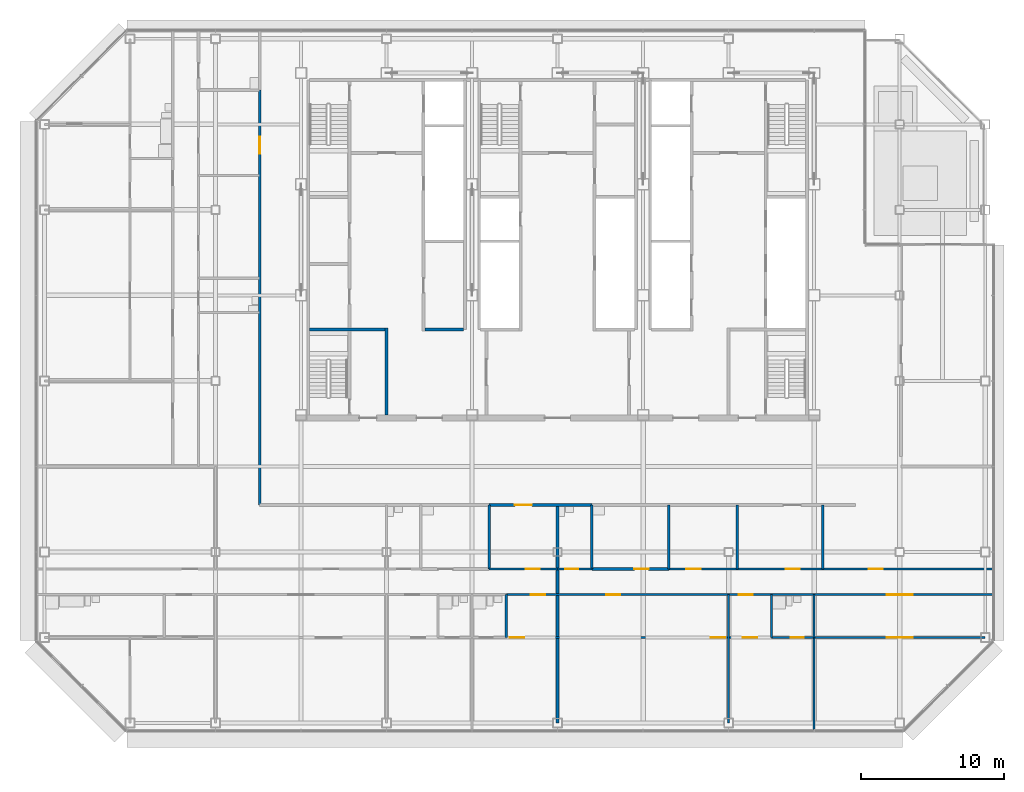
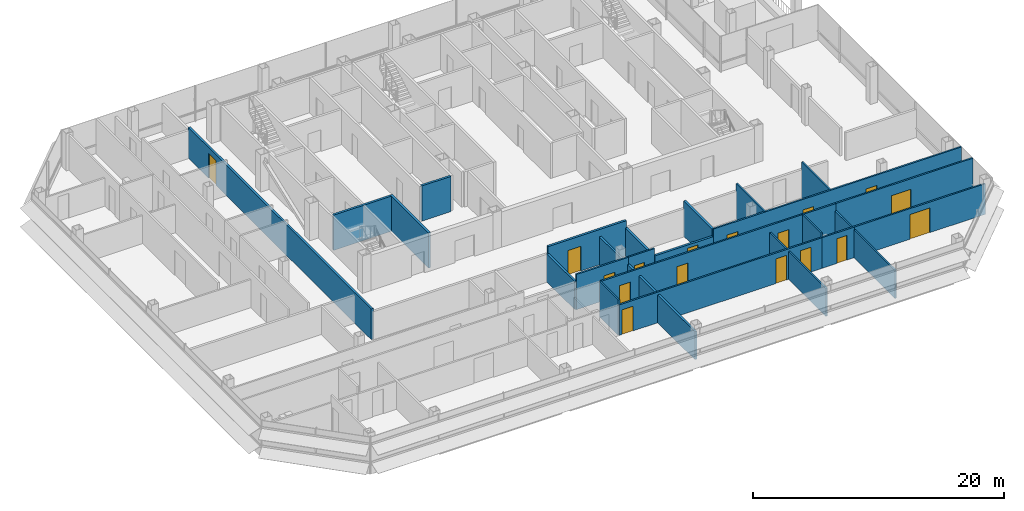
# One storey, part 21 of 29: 26 walls, 17 doors, 17 openings.
"""IFC4 building model written with IfcOpenShell, lengths in metres."""

from ifc_helpers import new_model, si_unit, direction, frame, frame_2d, origin, place, context, subcontext, project, spatial, rectangle, extrude, material, layer, layer_set, type_object, element, fill, save


model = new_model("IFC4")

# Units and contexts
model_context = context("Model", 3, precision=1e-05, world=origin(), true_north=direction((0.0, 1.0)))
body_context = subcontext(model_context, "Body", "Model", "MODEL_VIEW")
ifc_project = project(units=[si_unit("LENGTHUNIT", "METRE"), si_unit("AREAUNIT", "SQUARE_METRE"), si_unit("VOLUMEUNIT", "CUBIC_METRE"), si_unit("PLANEANGLEUNIT", "RADIAN"), si_unit("MASSUNIT", "GRAM", prefix="KILO")], contexts=[model_context])

# Site, building, storey
site_placement = place(None, origin())
site = spatial("IfcSite", under=ifc_project, at=site_placement, CompositionType="ELEMENT")
building_placement = place(site_placement, origin())
building = spatial("IfcBuilding", under=site, at=building_placement, Name="Sorahane Residences", CompositionType="ELEMENT")
storey_placement = place(building_placement, frame((0.0, 0.0, 199.199951171875)))
storey = spatial("IfcBuildingStorey", under=building, at=storey_placement, Name="L46", CompositionType="ELEMENT", Elevation=199.199951171875)

# Wall, opening, door
ifc_material_1 = material(Name="Concrete blockwork C20 wall", Category="masonry")
ifc_layer_1 = layer(ifc_material_1, 0.199951171875)
ifc_layer_set_1 = layer_set([ifc_layer_1], Name="Corridor wall 200 EI 120")
wall_type_1 = type_object("IfcWallType", Name="Corridor wall 200 EI 120", PredefinedType="SOLIDWALL", material=ifc_layer_set_1)
wall_1_placement = place(storey_placement, frame((3.10009765625, 15.300048828125, 0.0), z_axis=(0.0, 0.0, 1.0), x_axis=(0.0, 1.0, 0.0)))
wall_1 = element("IfcWall", 1, at=wall_1_placement, inside=storey, type_object=wall_type_1, Name="L46 corridor wall", PredefinedType="SOLIDWALL", context=body_context, shape_type="SweptSolid", body=[
    extrude(rectangle(XDim=29.099853515625, YDim=0.199951171875, at=frame_2d((14.5498046875, 0.0))), origin(), (0.0, 0.0, 1.0), 2.969970703125),
])
opening_1_placement = place(wall_1_placement, frame((24.639892578125, 0.0, 0.0)))
opening_1 = element("IfcOpeningElement", 2, at=opening_1_placement, cuts=wall_1, Name="Opening L46-44", PredefinedType="OPENING", context=body_context, shape_type="SweptSolid", body=[
    extrude(rectangle(XDim=1.199951171875, YDim=2.39990234375, at=frame_2d((0.60009765625, 1.199951171875))), frame((0.0, 0.10986328125, 0.0), z_axis=(0.0, -1.0, 0.0), x_axis=(1.0, 0.0, 0.0)), (0.0, 0.0, 1.0), 0.219970703125),
])
ifc_material_2 = material(Name="Timber veneered fire door", Category="wood")
door_type_1 = type_object("IfcDoorType", Name="Flat entrance door 1200x2400 FD60", OperationType="NOTDEFINED", PredefinedType="DOOR", material=ifc_material_2)
door_1_placement = place(opening_1_placement, origin())
door_1 = element("IfcDoor", 3, at=door_1_placement, inside=storey, type_object=door_type_1, Name="Flat entrance door L46-44", OperationType="SINGLE_SWING_LEFT", OverallHeight=2.39990234375, OverallWidth=1.199951171875, PredefinedType="DOOR", context=body_context, shape_type="SweptSolid", body=[
    extrude(rectangle(XDim=1.199951171875, YDim=2.39990234375, at=frame_2d((0.60009765625, 1.199951171875))), frame((0.0, 0.02490234375, 0.0), z_axis=(0.0, -1.0, 0.0), x_axis=(1.0, 0.0, 0.0)), (0.0, 0.0, 1.0), 0.050048828125),
])
fill(opening_1, door_1)

wall_2_placement = place(storey_placement, frame((19.199951171875, 15.300048828125, 0.0), z_axis=(0.0, 0.0, 1.0), x_axis=(1.0, 0.0, 0.0)))
wall_2 = element("IfcWall", 4, at=wall_2_placement, inside=storey, type_object=wall_type_1, Name="L46 corridor wall", PredefinedType="SOLIDWALL", context=body_context, shape_type="SweptSolid", body=[
    extrude(rectangle(XDim=7.199951171875, YDim=0.199951171875, at=frame_2d((3.60009765625, 0.0))), origin(), (0.0, 0.0, 1.0), 3.420166015625),
])
opening_2_placement = place(wall_2_placement, frame((1.800048828125, 0.0, 0.0)))
opening_2 = element("IfcOpeningElement", 5, at=opening_2_placement, cuts=wall_2, Name="Opening L46-42", PredefinedType="OPENING", context=body_context, shape_type="SweptSolid", body=[
    extrude(rectangle(XDim=1.199951171875, YDim=2.39990234375, at=frame_2d((0.60009765625, 1.199951171875))), frame((0.0, 0.10986328125, 0.0), z_axis=(0.0, -1.0, 0.0), x_axis=(1.0, 0.0, 0.0)), (0.0, 0.0, 1.0), 0.219970703125),
])
door_2_placement = place(opening_2_placement, frame((1.199951171875, 0.0, 0.0), z_axis=(0.0, 0.0, 1.0), x_axis=(-1.0, 0.0, 0.0)))
door_2 = element("IfcDoor", 6, at=door_2_placement, inside=storey, type_object=door_type_1, Name="Flat entrance door L46-42", OperationType="SINGLE_SWING_RIGHT", OverallHeight=2.39990234375, OverallWidth=1.199951171875, PredefinedType="DOOR", context=body_context, shape_type="SweptSolid", body=[
    extrude(rectangle(XDim=1.199951171875, YDim=2.39990234375, at=frame_2d((0.60009765625, 1.199951171875))), frame((0.0, 0.02490234375, 0.0), z_axis=(0.0, -1.0, 0.0), x_axis=(1.0, 0.0, 0.0)), (0.0, 0.0, 1.0), 0.050048828125),
])
fill(opening_2, door_2)

# Walls
ifc_material_3 = material(Name="Concrete C30", Category="concrete")
ifc_layer_2 = layer(ifc_material_3, 0.199951171875)
ifc_layer_set_2 = layer_set([ifc_layer_2], Name="Front room wall 200 EI 120")
wall_type_2 = type_object("IfcWallType", Name="Front room wall 200 EI 120", PredefinedType="PARTITIONING", material=ifc_layer_set_2)
wall_3_placement = place(storey_placement, frame((12.0, 21.60009765625, 0.0), z_axis=(0.0, 0.0, 1.0), x_axis=(0.0, 1.0, 0.0)))
element("IfcWall", 7, at=wall_3_placement, inside=storey, type_object=wall_type_2, Name="L46 front room wall", PredefinedType="PARTITIONING", context=body_context, shape_type="SweptSolid", body=[
    extrude(rectangle(XDim=6.099853515625, YDim=0.199951171875, at=frame_2d((3.0498046875, 0.0))), origin(), (0.0, 0.0, 1.0), 3.420166015625),
])
ifc_material_4 = material(Name="Concrete blockwork C20 wall", Category="masonry")
ifc_layer_3 = layer(ifc_material_4, 0.199951171875)
ifc_layer_set_3 = layer_set([ifc_layer_3], Name="Kitchen wall 200 EI 180")
wall_type_3 = type_object("IfcWallType", Name="Kitchen wall 200 EI 180", PredefinedType="SOLIDWALL", material=ifc_layer_set_3)
for number, where, z_axis, x_axis, name in (
    (8, (19.199951171875, 10.800048828125, 0.0), (0.0, 0.0, 1.0), (0.0, 1.0, 0.0), "L46 kitchen wall"),
    (9, (26.39990234375, 10.800048828125, 0.0), (0.0, 0.0, 1.0), (0.0, 1.0, 0.0), "L46 kitchen wall"),
):
    element("IfcWall", number, at=place(storey_placement, frame(where, z_axis=z_axis, x_axis=x_axis)), inside=storey, type_object=wall_type_3, Name=name, PredefinedType="SOLIDWALL", context=body_context, shape_type="SweptSolid", body=[
        extrude(rectangle(XDim=4.5, YDim=0.199951171875, at=frame_2d((2.25, 0.0))), origin(), (0.0, 0.0, 1.0), 2.719970703125),
    ])
wall_4_placement = place(storey_placement, frame((31.800048828125, 10.800048828125, 0.0), z_axis=(0.0, 0.0, 1.0), x_axis=(0.0, 1.0, 0.0)))
element("IfcWall", 10, at=wall_4_placement, inside=storey, type_object=wall_type_3, Name="L46 kitchen wall", PredefinedType="SOLIDWALL", context=body_context, shape_type="SweptSolid", body=[
    extrude(rectangle(XDim=4.5, YDim=0.199951171875, at=frame_2d((2.25, 0.0))), origin(), (0.0, 0.0, 1.0), 3.420166015625),
])

# Wall, opening, door
wall_5_placement = place(storey_placement, frame((26.39990234375, 10.800048828125, 0.0), z_axis=(0.0, 0.0, 1.0), x_axis=(1.0, 0.0, 0.0)))
wall_5 = element("IfcWall", 11, at=wall_5_placement, inside=storey, type_object=wall_type_3, Name="L46 kitchen wall", PredefinedType="SOLIDWALL", context=body_context, shape_type="SweptSolid", body=[
    extrude(rectangle(XDim=5.400146484375, YDim=0.199951171875, at=frame_2d((2.7001953125, 0.0))), origin(), (0.0, 0.0, 1.0), 2.719970703125),
])
opening_3_placement = place(wall_5_placement, frame((2.97998046875, 0.0, 0.0)))
opening_3 = element("IfcOpeningElement", 12, at=opening_3_placement, cuts=wall_5, Name="Opening L46-20", PredefinedType="OPENING", context=body_context, shape_type="SweptSolid", body=[
    extrude(rectangle(XDim=1.0, YDim=2.39990234375, at=frame_2d((0.5, 1.199951171875))), frame((0.0, 0.10986328125, 0.0), z_axis=(0.0, -1.0, 0.0), x_axis=(1.0, 0.0, 0.0)), (0.0, 0.0, 1.0), 0.219970703125),
])
ifc_material_5 = material(Name="Steel", Category="steel")
door_type_2 = type_object("IfcDoorType", Name="Kitchen door 1000x2400 FD120", OperationType="NOTDEFINED", PredefinedType="DOOR", material=ifc_material_5)
door_3_placement = place(opening_3_placement, origin())
door_3 = element("IfcDoor", 13, at=door_3_placement, inside=storey, type_object=door_type_2, Name="Kitchen door L46-20", OperationType="SINGLE_SWING_LEFT", OverallHeight=2.39990234375, OverallWidth=1.0, PredefinedType="DOOR", context=body_context, shape_type="SweptSolid", body=[
    extrude(rectangle(XDim=1.0, YDim=2.39990234375, at=frame_2d((0.5, 1.199951171875))), frame((0.0, 0.02490234375, 0.0), z_axis=(0.0, -1.0, 0.0), x_axis=(1.0, 0.0, 0.0)), (0.0, 0.0, 1.0), 0.050048828125),
])
fill(opening_3, door_3)

# Walls
ifc_material_6 = material(Name="Gypsum board partition on steel studs", Category="steel")
ifc_layer_4 = layer(ifc_material_6, 0.14990234375)
ifc_layer_set_4 = layer_set([ifc_layer_4], Name="Partition 150 EI 90")
wall_type_4 = type_object("IfcWallType", Name="Partition 150 EI 90", PredefinedType="PARTITIONING", material=ifc_layer_set_4)
wall_6_placement = place(storey_placement, frame((36.0, 0.0, 0.0), z_axis=(0.0, 0.0, 1.0), x_axis=(0.0, 1.0, 0.0)))
element("IfcWall", 14, at=wall_6_placement, inside=storey, type_object=wall_type_4, Name="L46 partition", PredefinedType="PARTITIONING", context=body_context, shape_type="SweptSolid", body=[
    extrude(rectangle(XDim=9.0, YDim=0.14990234375, at=frame_2d((4.5, 0.0))), origin(), (0.0, 0.0, 1.0), 2.719970703125),
])
wall_7_placement = place(storey_placement, frame((36.60009765625, 10.800048828125, 0.0), z_axis=(0.0, 0.0, 1.0), x_axis=(0.0, 1.0, 0.0)))
element("IfcWall", 15, at=wall_7_placement, inside=storey, type_object=wall_type_4, Name="L46 partition", PredefinedType="PARTITIONING", context=body_context, shape_type="SweptSolid", body=[
    extrude(rectangle(XDim=4.5, YDim=0.14990234375, at=frame_2d((2.25, 0.0))), origin(), (0.0, 0.0, 1.0), 3.420166015625),
])
wall_8_placement = place(storey_placement, frame((42.0, -0.60009765625, 0.0), z_axis=(0.0, 0.0, 1.0), x_axis=(0.0, 1.0, 0.0)))
element("IfcWall", 16, at=wall_8_placement, inside=storey, type_object=wall_type_4, Name="L46 partition", PredefinedType="PARTITIONING", context=body_context, shape_type="SweptSolid", body=[
    extrude(rectangle(XDim=6.60009765625, YDim=0.14990234375, at=frame_2d((3.300048828125, 0.0))), origin(), (0.0, 0.0, 1.0), 2.719970703125),
])
wall_9_placement = place(storey_placement, frame((42.60009765625, 10.800048828125, 0.0), z_axis=(0.0, 0.0, 1.0), x_axis=(0.0, 1.0, 0.0)))
element("IfcWall", 17, at=wall_9_placement, inside=storey, type_object=wall_type_4, Name="L46 partition", PredefinedType="PARTITIONING", context=body_context, shape_type="SweptSolid", body=[
    extrude(rectangle(XDim=4.5, YDim=0.14990234375, at=frame_2d((2.25, 0.0))), origin(), (0.0, 0.0, 1.0), 3.420166015625),
])

# Wall, opening, door
wall_10_placement = place(storey_placement, frame((19.199951171875, 10.800048828125, 0.0), z_axis=(0.0, 0.0, 1.0), x_axis=(1.0, 0.0, 0.0)))
wall_10 = element("IfcWall", 18, at=wall_10_placement, inside=storey, type_object=wall_type_4, Name="L46 partition", PredefinedType="PARTITIONING", context=body_context, shape_type="SweptSolid", body=[
    extrude(rectangle(XDim=4.800048828125, YDim=0.14990234375, at=frame_2d((2.39990234375, 0.0))), origin(), (0.0, 0.0, 1.0), 3.420166015625),
])
opening_4_placement = place(wall_10_placement, frame((2.56005859375, 0.0, 0.0)))
opening_4 = element("IfcOpeningElement", 19, at=opening_4_placement, cuts=wall_10, Name="Opening L46-01", PredefinedType="OPENING", context=body_context, shape_type="SweptSolid", body=[
    extrude(rectangle(XDim=1.0, YDim=2.39990234375, at=frame_2d((0.5, 1.199951171875))), frame((0.0, 0.0849609375, 0.0), z_axis=(0.0, -1.0, 0.0), x_axis=(1.0, 0.0, 0.0)), (0.0, 0.0, 1.0), 0.169921875),
])
ifc_material_7 = material(Name="Timber veneered fire door", Category="wood")
door_type_3 = type_object("IfcDoorType", Name="Room door 1000x2400 FD30", OperationType="NOTDEFINED", PredefinedType="DOOR", material=ifc_material_7)
door_4_placement = place(opening_4_placement, frame((1.0, 0.0, 0.0), z_axis=(0.0, 0.0, 1.0), x_axis=(-1.0, 0.0, 0.0)))
door_4 = element("IfcDoor", 20, at=door_4_placement, inside=storey, type_object=door_type_3, Name="Room door L46-01", OperationType="SINGLE_SWING_LEFT", OverallHeight=2.39990234375, OverallWidth=1.0, PredefinedType="DOOR", context=body_context, shape_type="SweptSolid", body=[
    extrude(rectangle(XDim=1.0, YDim=2.39990234375, at=frame_2d((0.5, 1.199951171875))), frame((0.0, 0.02490234375, 0.0), z_axis=(0.0, -1.0, 0.0), x_axis=(1.0, 0.0, 0.0)), (0.0, 0.0, 1.0), 0.050048828125),
])
fill(opening_4, door_4)

# Wall, openings, doors
wall_11_placement = place(storey_placement, frame((31.800048828125, 10.800048828125, 0.0), z_axis=(0.0, 0.0, 1.0), x_axis=(1.0, 0.0, 0.0)))
wall_11 = element("IfcWall", 21, at=wall_11_placement, inside=storey, type_object=wall_type_4, Name="L46 partition", PredefinedType="PARTITIONING", context=body_context, shape_type="SweptSolid", body=[
    extrude(rectangle(XDim=22.800048828125, YDim=0.14990234375, at=frame_2d((11.39990234375, 0.0))), origin(), (0.0, 0.0, 1.0), 3.420166015625),
])
opening_5_placement = place(wall_11_placement, frame((8.199951171875, 0.0, 0.0)))
opening_5 = element("IfcOpeningElement", 22, at=opening_5_placement, cuts=wall_11, Name="Opening L46-18", PredefinedType="OPENING", context=body_context, shape_type="SweptSolid", body=[
    extrude(rectangle(XDim=1.0, YDim=2.39990234375, at=frame_2d((0.5, 1.199951171875))), frame((0.0, 0.0849609375, 0.0), z_axis=(0.0, -1.0, 0.0), x_axis=(1.0, 0.0, 0.0)), (0.0, 0.0, 1.0), 0.169921875),
])
opening_6_placement = place(wall_11_placement, frame((1.239990234375, 0.0, 0.0)))
opening_6 = element("IfcOpeningElement", 23, at=opening_6_placement, cuts=wall_11, Name="Opening L46-21", PredefinedType="OPENING", context=body_context, shape_type="SweptSolid", body=[
    extrude(rectangle(XDim=1.0, YDim=2.39990234375, at=frame_2d((0.5, 1.199951171875))), frame((0.0, 0.0849609375, 0.0), z_axis=(0.0, -1.0, 0.0), x_axis=(1.0, 0.0, 0.0)), (0.0, 0.0, 1.0), 0.169921875),
])
opening_7_placement = place(wall_11_placement, frame((14.02001953125, 0.0, 0.0)))
opening_7 = element("IfcOpeningElement", 24, at=opening_7_placement, cuts=wall_11, Name="Opening L46-22", PredefinedType="OPENING", context=body_context, shape_type="SweptSolid", body=[
    extrude(rectangle(XDim=1.0, YDim=2.39990234375, at=frame_2d((0.5, 1.199951171875))), frame((0.0, 0.0849609375, 0.0), z_axis=(0.0, -1.0, 0.0), x_axis=(1.0, 0.0, 0.0)), (0.0, 0.0, 1.0), 0.169921875),
])
door_5_placement = place(opening_5_placement, frame((1.0, 0.0, 0.0), z_axis=(0.0, 0.0, 1.0), x_axis=(-1.0, 0.0, 0.0)))
door_5 = element("IfcDoor", 25, at=door_5_placement, inside=storey, type_object=door_type_3, Name="Room door L46-18", OperationType="SINGLE_SWING_RIGHT", OverallHeight=2.39990234375, OverallWidth=1.0, PredefinedType="DOOR", context=body_context, shape_type="SweptSolid", body=[
    extrude(rectangle(XDim=1.0, YDim=2.39990234375, at=frame_2d((0.5, 1.199951171875))), frame((0.0, 0.02490234375, 0.0), z_axis=(0.0, -1.0, 0.0), x_axis=(1.0, 0.0, 0.0)), (0.0, 0.0, 1.0), 0.050048828125),
])
fill(opening_5, door_5)
door_6_placement = place(opening_6_placement, origin())
door_6 = element("IfcDoor", 26, at=door_6_placement, inside=storey, type_object=door_type_3, Name="Room door L46-21", OperationType="SINGLE_SWING_LEFT", OverallHeight=2.39990234375, OverallWidth=1.0, PredefinedType="DOOR", context=body_context, shape_type="SweptSolid", body=[
    extrude(rectangle(XDim=1.0, YDim=2.39990234375, at=frame_2d((0.5, 1.199951171875))), frame((0.0, 0.02490234375, 0.0), z_axis=(0.0, -1.0, 0.0), x_axis=(1.0, 0.0, 0.0)), (0.0, 0.0, 1.0), 0.050048828125),
])
fill(opening_6, door_6)
door_7_placement = place(opening_7_placement, origin())
door_7 = element("IfcDoor", 27, at=door_7_placement, inside=storey, type_object=door_type_3, Name="Room door L46-22", OperationType="SINGLE_SWING_LEFT", OverallHeight=2.39990234375, OverallWidth=1.0, PredefinedType="DOOR", context=body_context, shape_type="SweptSolid", body=[
    extrude(rectangle(XDim=1.0, YDim=2.39990234375, at=frame_2d((0.5, 1.199951171875))), frame((0.0, 0.02490234375, 0.0), z_axis=(0.0, -1.0, 0.0), x_axis=(1.0, 0.0, 0.0)), (0.0, 0.0, 1.0), 0.050048828125),
])
fill(opening_7, door_7)

wall_12_placement = place(storey_placement, frame((20.39990234375, 6.0, 0.0), z_axis=(0.0, 0.0, 1.0), x_axis=(1.0, 0.0, 0.0)))
wall_12 = element("IfcWall", 28, at=wall_12_placement, inside=storey, type_object=wall_type_4, Name="L46 partition", PredefinedType="PARTITIONING", context=body_context, shape_type="SweptSolid", body=[
    extrude(rectangle(XDim=18.60009765625, YDim=0.14990234375, at=frame_2d((9.300048828125, 0.0))), origin(), (0.0, 0.0, 1.0), 2.969970703125),
])
opening_8_placement = place(wall_12_placement, frame((0.25, 0.0, 0.0)))
opening_8 = element("IfcOpeningElement", 29, at=opening_8_placement, cuts=wall_12, Name="Opening L46-16", PredefinedType="OPENING", context=body_context, shape_type="SweptSolid", body=[
    extrude(rectangle(XDim=1.0, YDim=2.39990234375, at=frame_2d((0.5, 1.199951171875))), frame((0.0, 0.0849609375, 0.0), z_axis=(0.0, -1.0, 0.0), x_axis=(1.0, 0.0, 0.0)), (0.0, 0.0, 1.0), 0.169921875),
])
opening_9_placement = place(wall_12_placement, frame((14.35009765625, 0.0, 0.0)))
opening_9 = element("IfcOpeningElement", 30, at=opening_9_placement, cuts=wall_12, Name="Opening L46-26", PredefinedType="OPENING", context=body_context, shape_type="SweptSolid", body=[
    extrude(rectangle(XDim=1.0, YDim=2.39990234375, at=frame_2d((0.5, 1.199951171875))), frame((0.0, 0.0849609375, 0.0), z_axis=(0.0, -1.0, 0.0), x_axis=(1.0, 0.0, 0.0)), (0.0, 0.0, 1.0), 0.169921875),
])
opening_10_placement = place(wall_12_placement, frame((16.60009765625, 0.0, 0.0)))
opening_10 = element("IfcOpeningElement", 31, at=opening_10_placement, cuts=wall_12, Name="Opening L46-27", PredefinedType="OPENING", context=body_context, shape_type="SweptSolid", body=[
    extrude(rectangle(XDim=1.0, YDim=2.39990234375, at=frame_2d((0.5, 1.199951171875))), frame((0.0, 0.0849609375, 0.0), z_axis=(0.0, -1.0, 0.0), x_axis=(1.0, 0.0, 0.0)), (0.0, 0.0, 1.0), 0.169921875),
])
door_8_placement = place(opening_8_placement, frame((1.0, 0.0, 0.0), z_axis=(0.0, 0.0, 1.0), x_axis=(-1.0, 0.0, 0.0)))
door_8 = element("IfcDoor", 32, at=door_8_placement, inside=storey, type_object=door_type_3, Name="Room door L46-16", OperationType="SINGLE_SWING_LEFT", OverallHeight=2.39990234375, OverallWidth=1.0, PredefinedType="DOOR", context=body_context, shape_type="SweptSolid", body=[
    extrude(rectangle(XDim=1.0, YDim=2.39990234375, at=frame_2d((0.5, 1.199951171875))), frame((0.0, 0.02490234375, 0.0), z_axis=(0.0, -1.0, 0.0), x_axis=(1.0, 0.0, 0.0)), (0.0, 0.0, 1.0), 0.050048828125),
])
fill(opening_8, door_8)
door_9_placement = place(opening_9_placement, frame((1.0, 0.0, 0.0), z_axis=(0.0, 0.0, 1.0), x_axis=(-1.0, 0.0, 0.0)))
door_9 = element("IfcDoor", 33, at=door_9_placement, inside=storey, type_object=door_type_3, Name="Room door L46-26", OperationType="SINGLE_SWING_LEFT", OverallHeight=2.39990234375, OverallWidth=1.0, PredefinedType="DOOR", context=body_context, shape_type="SweptSolid", body=[
    extrude(rectangle(XDim=1.0, YDim=2.39990234375, at=frame_2d((0.5, 1.199951171875))), frame((0.0, 0.02490234375, 0.0), z_axis=(0.0, -1.0, 0.0), x_axis=(1.0, 0.0, 0.0)), (0.0, 0.0, 1.0), 0.050048828125),
])
fill(opening_9, door_9)
door_10_placement = place(opening_10_placement, frame((1.0, 0.0, 0.0), z_axis=(0.0, 0.0, 1.0), x_axis=(-1.0, 0.0, 0.0)))
door_10 = element("IfcDoor", 34, at=door_10_placement, inside=storey, type_object=door_type_3, Name="Room door L46-27", OperationType="SINGLE_SWING_RIGHT", OverallHeight=2.39990234375, OverallWidth=1.0, PredefinedType="DOOR", context=body_context, shape_type="SweptSolid", body=[
    extrude(rectangle(XDim=1.0, YDim=2.39990234375, at=frame_2d((0.5, 1.199951171875))), frame((0.0, 0.02490234375, 0.0), z_axis=(0.0, -1.0, 0.0), x_axis=(1.0, 0.0, 0.0)), (0.0, 0.0, 1.0), 0.050048828125),
])
fill(opening_10, door_10)

# Wall, opening, door
wall_13_placement = place(storey_placement, frame((42.0, 6.0, 0.0), z_axis=(0.0, 0.0, 1.0), x_axis=(1.0, 0.0, 0.0)))
wall_13 = element("IfcWall", 35, at=wall_13_placement, inside=storey, type_object=wall_type_4, Name="L46 partition", PredefinedType="PARTITIONING", context=body_context, shape_type="SweptSolid", body=[
    extrude(rectangle(XDim=12.0, YDim=0.14990234375, at=frame_2d((6.0, 0.0))), origin(), (0.0, 0.0, 1.0), 2.969970703125),
])
opening_11_placement = place(wall_13_placement, frame((5.10009765625, 0.0, 0.0)))
opening_11 = element("IfcOpeningElement", 36, at=opening_11_placement, cuts=wall_13, Name="Opening L46-29", PredefinedType="OPENING", context=body_context, shape_type="SweptSolid", body=[
    extrude(rectangle(XDim=1.800048828125, YDim=2.39990234375, at=frame_2d((0.89990234375, 1.199951171875))), frame((0.0, 0.0849609375, 0.0), z_axis=(0.0, -1.0, 0.0), x_axis=(1.0, 0.0, 0.0)), (0.0, 0.0, 1.0), 0.169921875),
])
ifc_material_8 = material(Name="Timber veneered fire door", Category="wood")
door_type_4 = type_object("IfcDoorType", Name="Double door 1800x2400 FD30", OperationType="NOTDEFINED", PredefinedType="DOOR", material=ifc_material_8)
door_11_placement = place(opening_11_placement, frame((1.800048828125, 0.0, 0.0), z_axis=(0.0, 0.0, 1.0), x_axis=(-1.0, 0.0, 0.0)))
door_11 = element("IfcDoor", 37, at=door_11_placement, inside=storey, type_object=door_type_4, Name="Double door L46-29", OperationType="SINGLE_SWING_RIGHT", OverallHeight=2.39990234375, OverallWidth=1.800048828125, PredefinedType="DOOR", context=body_context, shape_type="SweptSolid", body=[
    extrude(rectangle(XDim=1.800048828125, YDim=2.39990234375, at=frame_2d((0.89990234375, 1.199951171875))), frame((0.0, 0.02490234375, 0.0), z_axis=(0.0, -1.0, 0.0), x_axis=(1.0, 0.0, 0.0)), (0.0, 0.0, 1.0), 0.050048828125),
])
fill(opening_11, door_11)

# Wall, openings, doors
wall_14_placement = place(storey_placement, frame((20.39990234375, 9.0, 0.0), z_axis=(0.0, 0.0, 1.0), x_axis=(1.0, 0.0, 0.0)))
wall_14 = element("IfcWall", 38, at=wall_14_placement, inside=storey, type_object=wall_type_4, Name="L46 partition", PredefinedType="PARTITIONING", context=body_context, shape_type="SweptSolid", body=[
    extrude(rectangle(XDim=18.60009765625, YDim=0.14990234375, at=frame_2d((9.300048828125, 0.0))), origin(), (0.0, 0.0, 1.0), 3.420166015625),
])
opening_12_placement = place(wall_14_placement, frame((1.719970703125, 0.0, 0.0)))
opening_12 = element("IfcOpeningElement", 39, at=opening_12_placement, cuts=wall_14, Name="Opening L46-09", PredefinedType="OPENING", context=body_context, shape_type="SweptSolid", body=[
    extrude(rectangle(XDim=1.0, YDim=2.39990234375, at=frame_2d((0.5, 1.199951171875))), frame((0.0, 0.0849609375, 0.0), z_axis=(0.0, -1.0, 0.0), x_axis=(1.0, 0.0, 0.0)), (0.0, 0.0, 1.0), 0.169921875),
])
opening_13_placement = place(wall_14_placement, frame((7.0, 0.0, 0.0)))
opening_13 = element("IfcOpeningElement", 40, at=opening_13_placement, cuts=wall_14, Name="Opening L46-23", PredefinedType="OPENING", context=body_context, shape_type="SweptSolid", body=[
    extrude(rectangle(XDim=1.0, YDim=2.39990234375, at=frame_2d((0.5, 1.199951171875))), frame((0.0, 0.0849609375, 0.0), z_axis=(0.0, -1.0, 0.0), x_axis=(1.0, 0.0, 0.0)), (0.0, 0.0, 1.0), 0.169921875),
])
opening_14_placement = place(wall_14_placement, frame((16.300048828125, 0.0, 0.0)))
opening_14 = element("IfcOpeningElement", 41, at=opening_14_placement, cuts=wall_14, Name="Opening L46-24", PredefinedType="OPENING", context=body_context, shape_type="SweptSolid", body=[
    extrude(rectangle(XDim=1.0, YDim=2.39990234375, at=frame_2d((0.5, 1.199951171875))), frame((0.0, 0.0849609375, 0.0), z_axis=(0.0, -1.0, 0.0), x_axis=(1.0, 0.0, 0.0)), (0.0, 0.0, 1.0), 0.169921875),
])
door_12_placement = place(opening_12_placement, frame((1.0, 0.0, 0.0), z_axis=(0.0, 0.0, 1.0), x_axis=(-1.0, 0.0, 0.0)))
door_12 = element("IfcDoor", 42, at=door_12_placement, inside=storey, type_object=door_type_3, Name="Room door L46-09", OperationType="SINGLE_SWING_LEFT", OverallHeight=2.39990234375, OverallWidth=1.0, PredefinedType="DOOR", context=body_context, shape_type="SweptSolid", body=[
    extrude(rectangle(XDim=1.0, YDim=2.39990234375, at=frame_2d((0.5, 1.199951171875))), frame((0.0, 0.02490234375, 0.0), z_axis=(0.0, -1.0, 0.0), x_axis=(1.0, 0.0, 0.0)), (0.0, 0.0, 1.0), 0.050048828125),
])
fill(opening_12, door_12)
door_13_placement = place(opening_13_placement, frame((1.0, 0.0, 0.0), z_axis=(0.0, 0.0, 1.0), x_axis=(-1.0, 0.0, 0.0)))
door_13 = element("IfcDoor", 43, at=door_13_placement, inside=storey, type_object=door_type_3, Name="Room door L46-23", OperationType="SINGLE_SWING_RIGHT", OverallHeight=2.39990234375, OverallWidth=1.0, PredefinedType="DOOR", context=body_context, shape_type="SweptSolid", body=[
    extrude(rectangle(XDim=1.0, YDim=2.39990234375, at=frame_2d((0.5, 1.199951171875))), frame((0.0, 0.02490234375, 0.0), z_axis=(0.0, -1.0, 0.0), x_axis=(1.0, 0.0, 0.0)), (0.0, 0.0, 1.0), 0.050048828125),
])
fill(opening_13, door_13)
door_14_placement = place(opening_14_placement, frame((1.0, 0.0, 0.0), z_axis=(0.0, 0.0, 1.0), x_axis=(-1.0, 0.0, 0.0)))
door_14 = element("IfcDoor", 44, at=door_14_placement, inside=storey, type_object=door_type_3, Name="Room door L46-24", OperationType="SINGLE_SWING_LEFT", OverallHeight=2.39990234375, OverallWidth=1.0, PredefinedType="DOOR", context=body_context, shape_type="SweptSolid", body=[
    extrude(rectangle(XDim=1.0, YDim=2.39990234375, at=frame_2d((0.5, 1.199951171875))), frame((0.0, 0.02490234375, 0.0), z_axis=(0.0, -1.0, 0.0), x_axis=(1.0, 0.0, 0.0)), (0.0, 0.0, 1.0), 0.050048828125),
])
fill(opening_14, door_14)

# Wall, opening, door
wall_15_placement = place(storey_placement, frame((42.0, 9.0, 0.0), z_axis=(0.0, 0.0, 1.0), x_axis=(1.0, 0.0, 0.0)))
wall_15 = element("IfcWall", 45, at=wall_15_placement, inside=storey, type_object=wall_type_4, Name="L46 partition", PredefinedType="PARTITIONING", context=body_context, shape_type="SweptSolid", body=[
    extrude(rectangle(XDim=12.60009765625, YDim=0.14990234375, at=frame_2d((6.300048828125, 0.0))), origin(), (0.0, 0.0, 1.0), 3.420166015625),
])
opening_15_placement = place(wall_15_placement, frame((5.10009765625, 0.0, 0.0)))
opening_15 = element("IfcOpeningElement", 46, at=opening_15_placement, cuts=wall_15, Name="Opening L46-25", PredefinedType="OPENING", context=body_context, shape_type="SweptSolid", body=[
    extrude(rectangle(XDim=1.800048828125, YDim=2.39990234375, at=frame_2d((0.89990234375, 1.199951171875))), frame((0.0, 0.0849609375, 0.0), z_axis=(0.0, -1.0, 0.0), x_axis=(1.0, 0.0, 0.0)), (0.0, 0.0, 1.0), 0.169921875),
])
door_15_placement = place(opening_15_placement, frame((1.800048828125, 0.0, 0.0), z_axis=(0.0, 0.0, 1.0), x_axis=(-1.0, 0.0, 0.0)))
door_15 = element("IfcDoor", 47, at=door_15_placement, inside=storey, type_object=door_type_4, Name="Double door L46-25", OperationType="SINGLE_SWING_RIGHT", OverallHeight=2.39990234375, OverallWidth=1.800048828125, PredefinedType="DOOR", context=body_context, shape_type="SweptSolid", body=[
    extrude(rectangle(XDim=1.800048828125, YDim=2.39990234375, at=frame_2d((0.89990234375, 1.199951171875))), frame((0.0, 0.02490234375, 0.0), z_axis=(0.0, -1.0, 0.0), x_axis=(1.0, 0.0, 0.0)), (0.0, 0.0, 1.0), 0.050048828125),
])
fill(opening_15, door_15)

# Walls
ifc_material_9 = material(Name="Concrete blockwork C20 wall", Category="masonry")
ifc_layer_5 = layer(ifc_material_9, 0.199951171875)
ifc_layer_set_5 = layer_set([ifc_layer_5], Name="Party wall 200 EI 120")
wall_type_5 = type_object("IfcWallType", Name="Party wall 200 EI 120", PredefinedType="SOLIDWALL", material=ifc_layer_set_5)
wall_16_placement = place(storey_placement, frame((24.0, 0.0, 0.0), z_axis=(0.0, 0.0, 1.0), x_axis=(0.0, 1.0, 0.0)))
element("IfcWall", 48, at=wall_16_placement, inside=storey, type_object=wall_type_5, Name="L46 party wall", PredefinedType="SOLIDWALL", context=body_context, shape_type="SweptSolid", body=[
    extrude(rectangle(XDim=15.300048828125, YDim=0.199951171875, at=frame_2d((7.64990234375, 0.0))), origin(), (0.0, 0.0, 1.0), 2.719970703125),
])
ifc_material_10 = material(Name="Concrete C30", Category="concrete")
ifc_layer_6 = layer(ifc_material_10, 0.199951171875)
ifc_layer_set_6 = layer_set([ifc_layer_6], Name="Service room partition 200 EI 60")
wall_type_6 = type_object("IfcWallType", Name="Service room partition 200 EI 60", PredefinedType="PARTITIONING", material=ifc_layer_set_6)
wall_17_placement = place(storey_placement, frame((14.699951171875, 27.60009765625, 0.0), z_axis=(0.0, 0.0, 1.0), x_axis=(1.0, 0.0, 0.0)))
element("IfcWall", 49, at=wall_17_placement, inside=storey, type_object=wall_type_6, Name="L46 service room wall", PredefinedType="PARTITIONING", context=body_context, shape_type="SweptSolid", body=[
    extrude(rectangle(XDim=2.699951171875, YDim=0.199951171875, at=frame_2d((1.35009765625, 0.0))), origin(), (0.0, 0.0, 1.0), 3.420166015625),
])
ifc_material_11 = material(Name="Concrete C30", Category="concrete")
ifc_layer_7 = layer(ifc_material_11, 0.199951171875)
ifc_layer_set_7 = layer_set([ifc_layer_7], Name="Stair enclosure wall 200 EI 120")
wall_type_7 = type_object("IfcWallType", Name="Stair enclosure wall 200 EI 120", PredefinedType="SOLIDWALL", material=ifc_layer_set_7)
wall_18_placement = place(storey_placement, frame((6.60009765625, 27.60009765625, 0.0), z_axis=(0.0, 0.0, 1.0), x_axis=(1.0, 0.0, 0.0)))
element("IfcWall", 50, at=wall_18_placement, inside=storey, type_object=wall_type_7, Name="L46 stair enclosure wall", PredefinedType="SOLIDWALL", context=body_context, shape_type="SweptSolid", body=[
    extrude(rectangle(XDim=5.2998046875, YDim=0.199951171875, at=frame_2d((2.64990234375, 0.0))), origin(), (0.0, 0.0, 1.0), 3.420166015625),
])
ifc_material_12 = material(Name="Gypsum board partition on steel studs", Category="steel")
ifc_layer_8 = layer(ifc_material_12, 0.14990234375)
ifc_layer_set_8 = layer_set([ifc_layer_8], Name="Wet wall 150 EI 90")
wall_type_8 = type_object("IfcWallType", Name="Wet wall 150 EI 90", PredefinedType="PARTITIONING", material=ifc_layer_set_8)
for number, where, z_axis, x_axis, name in (
    (51, (20.39990234375, 6.0, 0.0), (0.0, 0.0, 1.0), (0.0, 1.0, 0.0), "L46 wet wall"),
    (52, (39.0, 6.0, 0.0), (0.0, 0.0, 1.0), (0.0, 1.0, 0.0), "L46 wet wall"),
):
    element("IfcWall", number, at=place(storey_placement, frame(where, z_axis=z_axis, x_axis=x_axis)), inside=storey, type_object=wall_type_8, Name=name, PredefinedType="PARTITIONING", context=body_context, shape_type="SweptSolid", body=[
        extrude(rectangle(XDim=3.0, YDim=0.14990234375, at=frame_2d((1.5, 0.0))), origin(), (0.0, 0.0, 1.0), 3.420166015625),
    ])
wall_19_placement = place(storey_placement, frame((42.0, 6.0, 0.0), z_axis=(0.0, 0.0, 1.0), x_axis=(0.0, 1.0, 0.0)))
element("IfcWall", 53, at=wall_19_placement, inside=storey, type_object=wall_type_8, Name="L46 wet wall", PredefinedType="PARTITIONING", context=body_context, shape_type="SweptSolid", body=[
    extrude(rectangle(XDim=3.0, YDim=0.14990234375, at=frame_2d((1.5, 0.0))), origin(), (0.0, 0.0, 1.0), 2.719970703125),
])

# Wall, opening, door
wall_20_placement = place(storey_placement, frame((24.0, 10.800048828125, 0.0), z_axis=(0.0, 0.0, 1.0), x_axis=(1.0, 0.0, 0.0)))
wall_20 = element("IfcWall", 54, at=wall_20_placement, inside=storey, type_object=wall_type_8, Name="L46 wet wall", PredefinedType="PARTITIONING", context=body_context, shape_type="SweptSolid", body=[
    extrude(rectangle(XDim=2.39990234375, YDim=0.14990234375, at=frame_2d((1.199951171875, 0.0))), origin(), (0.0, 0.0, 1.0), 3.420166015625),
])
opening_16_placement = place(wall_20_placement, frame((0.550048828125, 0.0, 0.0)))
opening_16 = element("IfcOpeningElement", 55, at=opening_16_placement, cuts=wall_20, Name="Opening L46-19", PredefinedType="OPENING", context=body_context, shape_type="SweptSolid", body=[
    extrude(rectangle(XDim=0.89990234375, YDim=2.39990234375, at=frame_2d((0.449951171875, 1.199951171875))), frame((0.0, 0.0849609375, 0.0), z_axis=(0.0, -1.0, 0.0), x_axis=(1.0, 0.0, 0.0)), (0.0, 0.0, 1.0), 0.169921875),
])
ifc_material_13 = material(Name="Timber veneered fire door", Category="wood")
door_type_5 = type_object("IfcDoorType", Name="Bathroom door 900x2400 FD30", OperationType="NOTDEFINED", PredefinedType="DOOR", material=ifc_material_13)
door_16_placement = place(opening_16_placement, frame((0.89990234375, 0.0, 0.0), z_axis=(0.0, 0.0, 1.0), x_axis=(-1.0, 0.0, 0.0)))
door_16 = element("IfcDoor", 56, at=door_16_placement, inside=storey, type_object=door_type_5, Name="Bathroom door L46-19", OperationType="SINGLE_SWING_RIGHT", OverallHeight=2.39990234375, OverallWidth=0.89990234375, PredefinedType="DOOR", context=body_context, shape_type="SweptSolid", body=[
    extrude(rectangle(XDim=0.89990234375, YDim=2.39990234375, at=frame_2d((0.449951171875, 1.199951171875))), frame((0.0, 0.02490234375, 0.0), z_axis=(0.0, -1.0, 0.0), x_axis=(1.0, 0.0, 0.0)), (0.0, 0.0, 1.0), 0.050048828125),
])
fill(opening_16, door_16)

wall_21_placement = place(storey_placement, frame((39.0, 6.0, 0.0), z_axis=(0.0, 0.0, 1.0), x_axis=(1.0, 0.0, 0.0)))
wall_21 = element("IfcWall", 57, at=wall_21_placement, inside=storey, type_object=wall_type_8, Name="L46 wet wall", PredefinedType="PARTITIONING", context=body_context, shape_type="SweptSolid", body=[
    extrude(rectangle(XDim=3.0, YDim=0.14990234375, at=frame_2d((1.5, 0.0))), origin(), (0.0, 0.0, 1.0), 2.969970703125),
])
opening_17_placement = place(wall_21_placement, frame((1.3701171875, 0.0, 0.0)))
opening_17 = element("IfcOpeningElement", 58, at=opening_17_placement, cuts=wall_21, Name="Opening L46-28", PredefinedType="OPENING", context=body_context, shape_type="SweptSolid", body=[
    extrude(rectangle(XDim=0.89990234375, YDim=2.39990234375, at=frame_2d((0.449951171875, 1.199951171875))), frame((0.0, 0.0849609375, 0.0), z_axis=(0.0, -1.0, 0.0), x_axis=(1.0, 0.0, 0.0)), (0.0, 0.0, 1.0), 0.169921875),
])
door_17_placement = place(opening_17_placement, frame((0.89990234375, 0.0, 0.0), z_axis=(0.0, 0.0, 1.0), x_axis=(-1.0, 0.0, 0.0)))
door_17 = element("IfcDoor", 59, at=door_17_placement, inside=storey, type_object=door_type_5, Name="Bathroom door L46-28", OperationType="SINGLE_SWING_LEFT", OverallHeight=2.39990234375, OverallWidth=0.89990234375, PredefinedType="DOOR", context=body_context, shape_type="SweptSolid", body=[
    extrude(rectangle(XDim=0.89990234375, YDim=2.39990234375, at=frame_2d((0.449951171875, 1.199951171875))), frame((0.0, 0.02490234375, 0.0), z_axis=(0.0, -1.0, 0.0), x_axis=(1.0, 0.0, 0.0)), (0.0, 0.0, 1.0), 0.050048828125),
])
fill(opening_17, door_17)

# Wall
wall_22_placement = place(storey_placement, frame((39.0, 9.0, 0.0), z_axis=(0.0, 0.0, 1.0), x_axis=(1.0, 0.0, 0.0)))
element("IfcWall", 60, at=wall_22_placement, inside=storey, type_object=wall_type_8, Name="L46 wet wall", PredefinedType="PARTITIONING", context=body_context, shape_type="SweptSolid", body=[
    extrude(rectangle(XDim=3.0, YDim=0.14990234375, at=frame_2d((1.5, 0.0))), origin(), (0.0, 0.0, 1.0), 3.420166015625),
])

save(model, "model.ifc")
